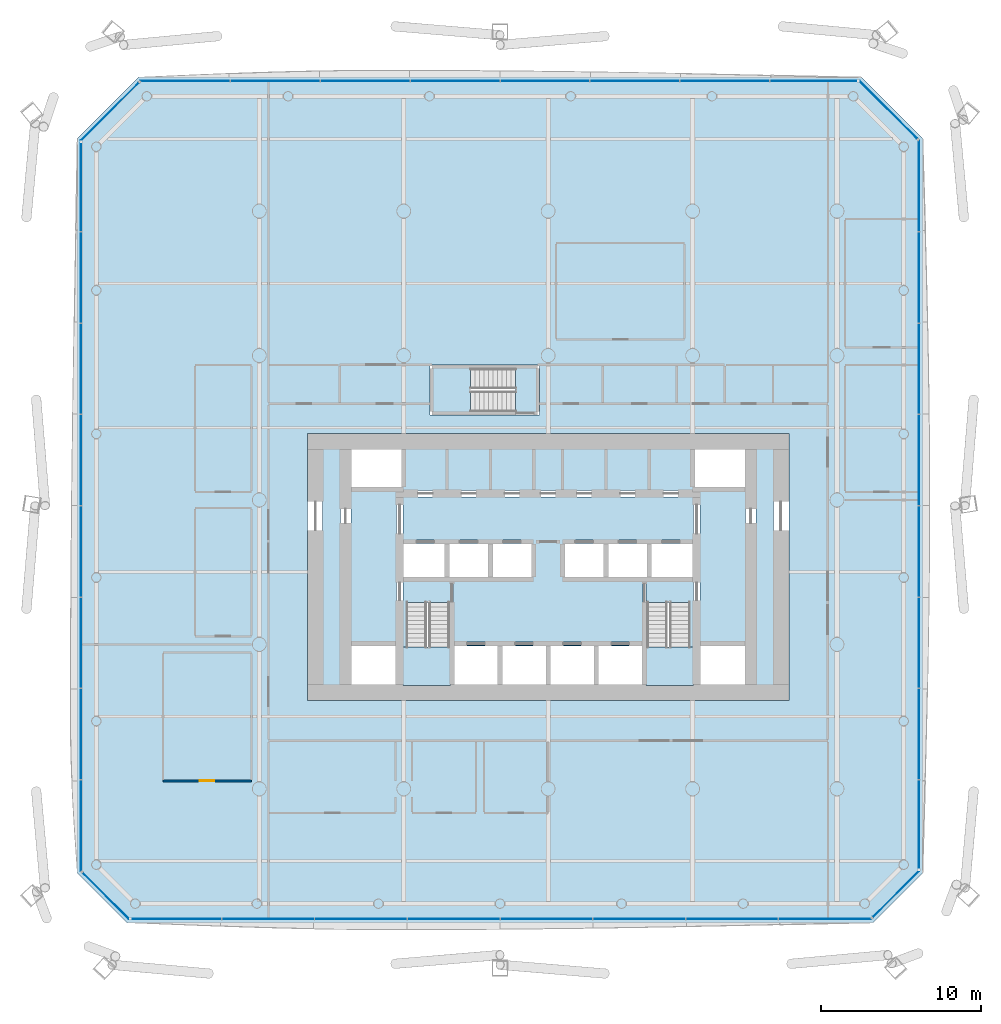
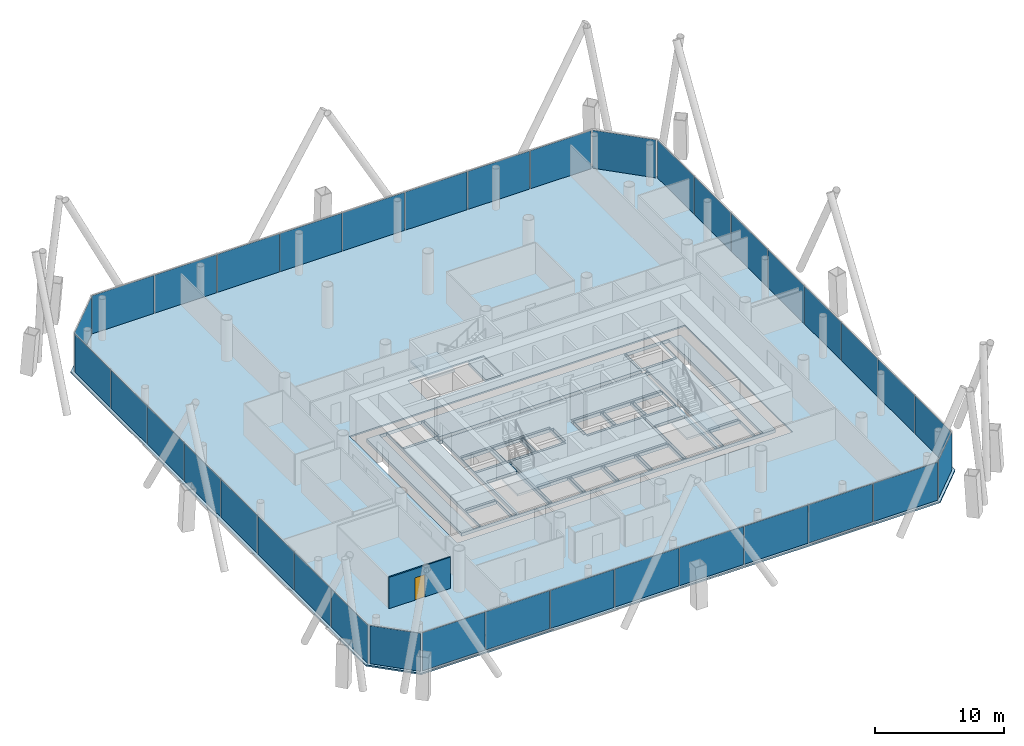
# One storey, part 12 of 21: 36 plates, 6 slabs, 1 door, 1 wall, 1 opening, 11 elements without a shape of their own.
"""IFC4 building model written with IfcOpenShell, lengths in metres."""

from ifc_helpers import new_model, si_unit, direction, frame, frame_2d, origin, origin_2d, place, context, subcontext, project, spatial, polyline, rectangle, outline, extrude, material, layer, layer_set, type_object, element, fill, aggregate, save


model = new_model("IFC4")

# Units and contexts
model_context = context("Model", 3, precision=1e-05, world=origin(), true_north=direction((0.0, 1.0)))
body_context = subcontext(model_context, "Body", "Model", "MODEL_VIEW")
ifc_project = project(units=[si_unit("LENGTHUNIT", "METRE"), si_unit("AREAUNIT", "SQUARE_METRE"), si_unit("VOLUMEUNIT", "CUBIC_METRE"), si_unit("PLANEANGLEUNIT", "RADIAN"), si_unit("MASSUNIT", "GRAM", prefix="KILO")], contexts=[model_context])

# Site, building, storey
site_placement = place(None, origin())
site = spatial("IfcSite", under=ifc_project, at=site_placement, CompositionType="ELEMENT")
building_placement = place(site_placement, origin())
building = spatial("IfcBuilding", under=site, at=building_placement, Name="Tskaro Facet Tower", CompositionType="ELEMENT")
storey_placement = place(building_placement, frame((0.0, 0.0, 45.89990234375)))
storey = spatial("IfcBuildingStorey", under=building, at=storey_placement, Name="L10", CompositionType="ELEMENT", Elevation=45.89990234375)

# Slab
ifc_material_1 = material(Name="Concrete C30/37", Category="concrete")
ifc_layer_1 = layer(ifc_material_1, 0.139892578125, Name="Concrete C30/37")
ifc_layer_set_1 = layer_set([ifc_layer_1], Name="Concrete C30/37")
slab_type_1 = type_object("IfcSlabType", Name="Composite deck floor slab", PredefinedType="FLOOR", material=ifc_layer_set_1)
slab_1_placement = place(storey_placement, frame((0.0, 0.0, -0.139892578125)))
element("IfcSlab", 1, at=slab_1_placement, inside=storey, type_object=slab_type_1, Name="Floor slab FS3 L10", PredefinedType="FLOOR", context=body_context, shape_type="SweptSolid", body=[
    extrude(outline(polyline([(-26.22607421875, -26.35693359375), (20.22607421875, -26.35693359375), (23.35693359375, -23.22607421875), (23.35693359375, 22.509033203125), (19.509033203125, 26.35693359375), (-25.509033203125, 26.35693359375), (-29.35693359375, 22.509033203125), (-29.35693359375, -23.22607421875), (-26.22607421875, -26.35693359375)]), holes=[polyline([(-15.0, -12.5), (15.0, -12.5), (15.0, 4.14990234375), (-15.0, 4.14990234375), (-15.0, -12.5)]), polyline([(-7.35009765625, 5.300048828125), (-0.550048828125, 5.300048828125), (-0.550048828125, 8.39990234375), (-7.35009765625, 8.39990234375), (-7.35009765625, 5.300048828125)])]), origin(), (0.0, 0.0, 1.0), 0.139892578125),
])

# Curtain wall, plates
ifc_material_2 = material(Name="Bronze anodised aluminium 6063-T6", Category="aluminium")
curtain_wall_type = type_object("IfcCurtainWallType", Name="Bronze office curtain wall (FW1)", PredefinedType="NOTDEFINED", material=ifc_material_2)
curtain_wall_1_placement = place(storey_placement, origin())
curtain_wall_1 = element("IfcCurtainWall", 2, at=curtain_wall_1_placement, inside=storey, type_object=curtain_wall_type, Name="FW1 south facet L10", PredefinedType="NOTDEFINED")
ifc_material_3 = material(Name="Bronze tinted glass", Category="glass")
ifc_layer_2 = layer(ifc_material_3, 0.031982421875, Name="Bronze tinted glass")
ifc_layer_set_2 = layer_set([ifc_layer_2], Name="Bronze tinted glass")
plate_type = type_object("IfcPlateType", Name="FW1 bronze-tinted unit glazing 32", PredefinedType="CURTAIN_PANEL", material=ifc_layer_set_2)
plate_1_placement = place(storey_placement, frame((-23.166748046875, -26.10693359375, 0.0), z_axis=(0.0, 0.0, 1.0), x_axis=(1.0, 0.0, 0.0)))
plate_1 = element("IfcPlate", 3, at=plate_1_placement, type_object=plate_type, Name="FW1 south glazing 1.1", PredefinedType="CURTAIN_PANEL", context=body_context, shape_type="SweptSolid", body=[
    extrude(rectangle(XDim=5.590576171875, YDim=0.031982421875, at=origin_2d()), origin(), (0.0, 0.0, 1.0), 3.60009765625),
])
plate_2_placement = place(storey_placement, frame((-17.451171875, -26.10693359375, 0.0), z_axis=(0.0, 0.0, 1.0), x_axis=(1.0, 0.0, 0.0)))
plate_2 = element("IfcPlate", 4, at=plate_2_placement, type_object=plate_type, Name="FW1 south glazing 2.1", PredefinedType="CURTAIN_PANEL", context=body_context, shape_type="SweptSolid", body=[
    extrude(rectangle(XDim=5.720458984375, YDim=0.031982421875, at=origin_2d()), origin(), (0.0, 0.0, 1.0), 3.60009765625),
])
plate_3_placement = place(storey_placement, frame((-11.670654296875, -26.10693359375, 0.0), z_axis=(0.0, 0.0, 1.0), x_axis=(1.0, 0.0, 0.0)))
plate_3 = element("IfcPlate", 5, at=plate_3_placement, type_object=plate_type, Name="FW1 south glazing 3.1", PredefinedType="CURTAIN_PANEL", context=body_context, shape_type="SweptSolid", body=[
    extrude(rectangle(XDim=5.720458984375, YDim=0.031982421875, at=origin_2d()), origin(), (0.0, 0.0, 1.0), 3.60009765625),
])
plate_4_placement = place(storey_placement, frame((-5.89013671875, -26.10693359375, 0.0), z_axis=(0.0, 0.0, 1.0), x_axis=(1.0, 0.0, 0.0)))
plate_4 = element("IfcPlate", 6, at=plate_4_placement, type_object=plate_type, Name="FW1 south glazing 4.1", PredefinedType="CURTAIN_PANEL", context=body_context, shape_type="SweptSolid", body=[
    extrude(rectangle(XDim=5.720458984375, YDim=0.031982421875, at=origin_2d()), origin(), (0.0, 0.0, 1.0), 3.60009765625),
])
plate_5_placement = place(storey_placement, frame((-0.10986328125, -26.10693359375, 0.0), z_axis=(0.0, 0.0, 1.0), x_axis=(1.0, 0.0, 0.0)))
plate_5 = element("IfcPlate", 7, at=plate_5_placement, type_object=plate_type, Name="FW1 south glazing 5.1", PredefinedType="CURTAIN_PANEL", context=body_context, shape_type="SweptSolid", body=[
    extrude(rectangle(XDim=5.720458984375, YDim=0.031982421875, at=origin_2d()), origin(), (0.0, 0.0, 1.0), 3.60009765625),
])
plate_6_placement = place(storey_placement, frame((5.670654296875, -26.10693359375, 0.0), z_axis=(0.0, 0.0, 1.0), x_axis=(1.0, 0.0, 0.0)))
plate_6 = element("IfcPlate", 8, at=plate_6_placement, type_object=plate_type, Name="FW1 south glazing 6.1", PredefinedType="CURTAIN_PANEL", context=body_context, shape_type="SweptSolid", body=[
    extrude(rectangle(XDim=5.720458984375, YDim=0.031982421875, at=origin_2d()), origin(), (0.0, 0.0, 1.0), 3.60009765625),
])
plate_7_placement = place(storey_placement, frame((11.451171875, -26.10693359375, 0.0), z_axis=(0.0, 0.0, 1.0), x_axis=(1.0, 0.0, 0.0)))
plate_7 = element("IfcPlate", 9, at=plate_7_placement, type_object=plate_type, Name="FW1 south glazing 7.1", PredefinedType="CURTAIN_PANEL", context=body_context, shape_type="SweptSolid", body=[
    extrude(rectangle(XDim=5.720458984375, YDim=0.031982421875, at=origin_2d()), origin(), (0.0, 0.0, 1.0), 3.60009765625),
])
plate_8_placement = place(storey_placement, frame((17.246826171875, -26.10693359375, 0.0), z_axis=(0.0, 0.0, 1.0), x_axis=(1.0, 0.0, 0.0)))
plate_8 = element("IfcPlate", 10, at=plate_8_placement, type_object=plate_type, Name="FW1 south glazing 8.1", PredefinedType="CURTAIN_PANEL", context=body_context, shape_type="SweptSolid", body=[
    extrude(rectangle(XDim=5.75048828125, YDim=0.031982421875, at=origin_2d()), origin(), (0.0, 0.0, 1.0), 3.60009765625),
])
aggregate(curtain_wall_1, [plate_1, plate_2, plate_3, plate_4, plate_5, plate_6, plate_7, plate_8])

# Curtain wall, plate
curtain_wall_2_placement = place(storey_placement, origin())
curtain_wall_2 = element("IfcCurtainWall", 11, at=curtain_wall_2_placement, inside=storey, type_object=curtain_wall_type, Name="FW1 south-east facet L10", PredefinedType="NOTDEFINED")
plate_9_placement = place(storey_placement, frame((21.671142578125, -24.557861328125, 0.0), z_axis=(0.0, 0.0, 1.0), x_axis=(0.707106781187, 0.707106781187, 0.0)))
plate_9 = element("IfcPlate", 12, at=plate_9_placement, type_object=plate_type, Name="FW1 south-east glazing 1.1", PredefinedType="CURTAIN_PANEL", context=body_context, shape_type="SweptSolid", body=[
    extrude(rectangle(XDim=4.0615234375, YDim=0.031982421875, at=origin_2d()), origin(), (0.0, 0.0, 1.0), 3.60009765625),
])
aggregate(curtain_wall_2, [plate_9])

# Curtain wall, plates
curtain_wall_3_placement = place(storey_placement, origin())
curtain_wall_3 = element("IfcCurtainWall", 13, at=curtain_wall_3_placement, inside=storey, type_object=curtain_wall_type, Name="FW1 east facet L10", PredefinedType="NOTDEFINED")
plate_10_placement = place(storey_placement, frame((23.10693359375, -20.211669921875, 0.0), z_axis=(0.0, 0.0, 1.0), x_axis=(0.0, 1.0, 0.0)))
plate_10 = element("IfcPlate", 14, at=plate_10_placement, type_object=plate_type, Name="FW1 east glazing 1.1", PredefinedType="CURTAIN_PANEL", context=body_context, shape_type="SweptSolid", body=[
    extrude(rectangle(XDim=5.5009765625, YDim=0.031982421875, at=origin_2d()), origin(), (0.0, 0.0, 1.0), 3.60009765625),
])
plate_11_placement = place(storey_placement, frame((23.10693359375, -14.585693359375, 0.0), z_axis=(0.0, 0.0, 1.0), x_axis=(0.0, 1.0, 0.0)))
plate_11 = element("IfcPlate", 15, at=plate_11_placement, type_object=plate_type, Name="FW1 east glazing 2.1", PredefinedType="CURTAIN_PANEL", context=body_context, shape_type="SweptSolid", body=[
    extrude(rectangle(XDim=5.630859375, YDim=0.031982421875, at=origin_2d()), origin(), (0.0, 0.0, 1.0), 3.60009765625),
])
plate_12_placement = place(storey_placement, frame((23.10693359375, -8.894775390625, 0.0), z_axis=(0.0, 0.0, 1.0), x_axis=(0.0, 1.0, 0.0)))
plate_12 = element("IfcPlate", 16, at=plate_12_placement, type_object=plate_type, Name="FW1 east glazing 3.1", PredefinedType="CURTAIN_PANEL", context=body_context, shape_type="SweptSolid", body=[
    extrude(rectangle(XDim=5.630859375, YDim=0.031982421875, at=origin_2d()), origin(), (0.0, 0.0, 1.0), 3.60009765625),
])
plate_13_placement = place(storey_placement, frame((23.10693359375, -3.203857421875, 0.0), z_axis=(0.0, 0.0, 1.0), x_axis=(0.0, 1.0, 0.0)))
plate_13 = element("IfcPlate", 17, at=plate_13_placement, type_object=plate_type, Name="FW1 east glazing 4.1", PredefinedType="CURTAIN_PANEL", context=body_context, shape_type="SweptSolid", body=[
    extrude(rectangle(XDim=5.630859375, YDim=0.031982421875, at=origin_2d()), origin(), (0.0, 0.0, 1.0), 3.60009765625),
])
plate_14_placement = place(storey_placement, frame((23.10693359375, 2.48681640625, 0.0), z_axis=(0.0, 0.0, 1.0), x_axis=(0.0, 1.0, 0.0)))
plate_14 = element("IfcPlate", 18, at=plate_14_placement, type_object=plate_type, Name="FW1 east glazing 5.1", PredefinedType="CURTAIN_PANEL", context=body_context, shape_type="SweptSolid", body=[
    extrude(rectangle(XDim=5.630859375, YDim=0.031982421875, at=origin_2d()), origin(), (0.0, 0.0, 1.0), 3.60009765625),
])
plate_15_placement = place(storey_placement, frame((23.10693359375, 8.177734375, 0.0), z_axis=(0.0, 0.0, 1.0), x_axis=(0.0, 1.0, 0.0)))
plate_15 = element("IfcPlate", 19, at=plate_15_placement, type_object=plate_type, Name="FW1 east glazing 6.1", PredefinedType="CURTAIN_PANEL", context=body_context, shape_type="SweptSolid", body=[
    extrude(rectangle(XDim=5.630859375, YDim=0.031982421875, at=origin_2d()), origin(), (0.0, 0.0, 1.0), 3.60009765625),
])
plate_16_placement = place(storey_placement, frame((23.10693359375, 13.86865234375, 0.0), z_axis=(0.0, 0.0, 1.0), x_axis=(0.0, 1.0, 0.0)))
plate_16 = element("IfcPlate", 20, at=plate_16_placement, type_object=plate_type, Name="FW1 east glazing 7.1", PredefinedType="CURTAIN_PANEL", context=body_context, shape_type="SweptSolid", body=[
    extrude(rectangle(XDim=5.630859375, YDim=0.031982421875, at=origin_2d()), origin(), (0.0, 0.0, 1.0), 3.60009765625),
])
plate_17_placement = place(storey_placement, frame((23.10693359375, 19.574462890625, 0.0), z_axis=(0.0, 0.0, 1.0), x_axis=(0.0, 1.0, 0.0)))
plate_17 = element("IfcPlate", 21, at=plate_17_placement, type_object=plate_type, Name="FW1 east glazing 8.1", PredefinedType="CURTAIN_PANEL", context=body_context, shape_type="SweptSolid", body=[
    extrude(rectangle(XDim=5.660888671875, YDim=0.031982421875, at=origin_2d()), origin(), (0.0, 0.0, 1.0), 3.60009765625),
])
aggregate(curtain_wall_3, [plate_10, plate_11, plate_12, plate_13, plate_14, plate_15, plate_16, plate_17])

# Curtain wall, plate
curtain_wall_4_placement = place(storey_placement, origin())
curtain_wall_4 = element("IfcCurtainWall", 22, at=curtain_wall_4_placement, inside=storey, type_object=curtain_wall_type, Name="FW1 north-east facet L10", PredefinedType="NOTDEFINED")
plate_18_placement = place(storey_placement, frame((21.199462890625, 24.3125, 0.0), z_axis=(0.0, 0.0, 1.0), x_axis=(-0.707106781187, 0.707106781187, 0.0)))
plate_18 = element("IfcPlate", 23, at=plate_18_placement, type_object=plate_type, Name="FW1 north-east glazing 1.1", PredefinedType="CURTAIN_PANEL", context=body_context, shape_type="SweptSolid", body=[
    extrude(rectangle(XDim=5.075439453125, YDim=0.031982421875, at=origin_2d()), origin(), (0.0, 0.0, 1.0), 3.60009765625),
])
aggregate(curtain_wall_4, [plate_18])

# Curtain wall, plates
curtain_wall_5_placement = place(storey_placement, origin())
curtain_wall_5 = element("IfcCurtainWall", 24, at=curtain_wall_5_placement, inside=storey, type_object=curtain_wall_type, Name="FW1 north facet L10", PredefinedType="NOTDEFINED")
plate_19_placement = place(storey_placement, frame((16.539306640625, 26.10693359375, 0.0), z_axis=(0.0, 0.0, 1.0), x_axis=(-1.0, 0.0, 0.0)))
plate_19 = element("IfcPlate", 25, at=plate_19_placement, type_object=plate_type, Name="FW1 north glazing 1.1", PredefinedType="CURTAIN_PANEL", context=body_context, shape_type="SweptSolid", body=[
    extrude(rectangle(XDim=5.4111328125, YDim=0.031982421875, at=origin_2d()), origin(), (0.0, 0.0, 1.0), 3.60009765625),
])
plate_20_placement = place(storey_placement, frame((11.003173828125, 26.10693359375, 0.0), z_axis=(0.0, 0.0, 1.0), x_axis=(-1.0, 0.0, 0.0)))
plate_20 = element("IfcPlate", 26, at=plate_20_placement, type_object=plate_type, Name="FW1 north glazing 2.1", PredefinedType="CURTAIN_PANEL", context=body_context, shape_type="SweptSolid", body=[
    extrude(rectangle(XDim=5.541259765625, YDim=0.031982421875, at=origin_2d()), origin(), (0.0, 0.0, 1.0), 3.60009765625),
])
plate_21_placement = place(storey_placement, frame((5.40185546875, 26.10693359375, 0.0), z_axis=(0.0, 0.0, 1.0), x_axis=(-1.0, 0.0, 0.0)))
plate_21 = element("IfcPlate", 27, at=plate_21_placement, type_object=plate_type, Name="FW1 north glazing 3.1", PredefinedType="CURTAIN_PANEL", context=body_context, shape_type="SweptSolid", body=[
    extrude(rectangle(XDim=5.541259765625, YDim=0.031982421875, at=origin_2d()), origin(), (0.0, 0.0, 1.0), 3.60009765625),
])
plate_22_placement = place(storey_placement, frame((-0.199462890625, 26.10693359375, 0.0), z_axis=(0.0, 0.0, 1.0), x_axis=(-1.0, 0.0, 0.0)))
plate_22 = element("IfcPlate", 28, at=plate_22_placement, type_object=plate_type, Name="FW1 north glazing 4.1", PredefinedType="CURTAIN_PANEL", context=body_context, shape_type="SweptSolid", body=[
    extrude(rectangle(XDim=5.541259765625, YDim=0.031982421875, at=origin_2d()), origin(), (0.0, 0.0, 1.0), 3.60009765625),
])
plate_23_placement = place(storey_placement, frame((-5.800537109375, 26.10693359375, 0.0), z_axis=(0.0, 0.0, 1.0), x_axis=(-1.0, 0.0, 0.0)))
plate_23 = element("IfcPlate", 29, at=plate_23_placement, type_object=plate_type, Name="FW1 north glazing 5.1", PredefinedType="CURTAIN_PANEL", context=body_context, shape_type="SweptSolid", body=[
    extrude(rectangle(XDim=5.541259765625, YDim=0.031982421875, at=origin_2d()), origin(), (0.0, 0.0, 1.0), 3.60009765625),
])
plate_24_placement = place(storey_placement, frame((-11.40185546875, 26.10693359375, 0.0), z_axis=(0.0, 0.0, 1.0), x_axis=(-1.0, 0.0, 0.0)))
plate_24 = element("IfcPlate", 30, at=plate_24_placement, type_object=plate_type, Name="FW1 north glazing 6.1", PredefinedType="CURTAIN_PANEL", context=body_context, shape_type="SweptSolid", body=[
    extrude(rectangle(XDim=5.541259765625, YDim=0.031982421875, at=origin_2d()), origin(), (0.0, 0.0, 1.0), 3.60009765625),
])
plate_25_placement = place(storey_placement, frame((-17.003173828125, 26.10693359375, 0.0), z_axis=(0.0, 0.0, 1.0), x_axis=(-1.0, 0.0, 0.0)))
plate_25 = element("IfcPlate", 31, at=plate_25_placement, type_object=plate_type, Name="FW1 north glazing 7.1", PredefinedType="CURTAIN_PANEL", context=body_context, shape_type="SweptSolid", body=[
    extrude(rectangle(XDim=5.541259765625, YDim=0.031982421875, at=origin_2d()), origin(), (0.0, 0.0, 1.0), 3.60009765625),
])
plate_26_placement = place(storey_placement, frame((-22.619384765625, 26.10693359375, 0.0), z_axis=(0.0, 0.0, 1.0), x_axis=(-1.0, 0.0, 0.0)))
plate_26 = element("IfcPlate", 32, at=plate_26_placement, type_object=plate_type, Name="FW1 north glazing 8.1", PredefinedType="CURTAIN_PANEL", context=body_context, shape_type="SweptSolid", body=[
    extrude(rectangle(XDim=5.5712890625, YDim=0.031982421875, at=origin_2d()), origin(), (0.0, 0.0, 1.0), 3.60009765625),
])
aggregate(curtain_wall_5, [plate_19, plate_20, plate_21, plate_22, plate_23, plate_24, plate_25, plate_26])

# Curtain wall, plate
curtain_wall_6_placement = place(storey_placement, origin())
curtain_wall_6 = element("IfcCurtainWall", 33, at=curtain_wall_6_placement, inside=storey, type_object=curtain_wall_type, Name="FW1 north-west facet L10", PredefinedType="NOTDEFINED")
plate_27_placement = place(storey_placement, frame((-27.3125, 24.199462890625, 0.0), z_axis=(0.0, 0.0, 1.0), x_axis=(-0.707106781187, -0.707106781187, 0.0)))
plate_27 = element("IfcPlate", 34, at=plate_27_placement, type_object=plate_type, Name="FW1 north-west glazing 1.1", PredefinedType="CURTAIN_PANEL", context=body_context, shape_type="SweptSolid", body=[
    extrude(rectangle(XDim=5.075439453125, YDim=0.031982421875, at=origin_2d()), origin(), (0.0, 0.0, 1.0), 3.60009765625),
])
aggregate(curtain_wall_6, [plate_27])

# Curtain wall, plates
curtain_wall_7_placement = place(storey_placement, origin())
curtain_wall_7 = element("IfcCurtainWall", 35, at=curtain_wall_7_placement, inside=storey, type_object=curtain_wall_type, Name="FW1 west facet L10", PredefinedType="NOTDEFINED")
plate_28_placement = place(storey_placement, frame((-29.10693359375, 19.49462890625, 0.0), z_axis=(0.0, 0.0, 1.0), x_axis=(0.0, -1.0, 0.0)))
plate_28 = element("IfcPlate", 36, at=plate_28_placement, type_object=plate_type, Name="FW1 west glazing 1.1", PredefinedType="CURTAIN_PANEL", context=body_context, shape_type="SweptSolid", body=[
    extrude(rectangle(XDim=5.5009765625, YDim=0.031982421875, at=origin_2d()), origin(), (0.0, 0.0, 1.0), 3.60009765625),
])
plate_29_placement = place(storey_placement, frame((-29.10693359375, 13.86865234375, 0.0), z_axis=(0.0, 0.0, 1.0), x_axis=(0.0, -1.0, 0.0)))
plate_29 = element("IfcPlate", 37, at=plate_29_placement, type_object=plate_type, Name="FW1 west glazing 2.1", PredefinedType="CURTAIN_PANEL", context=body_context, shape_type="SweptSolid", body=[
    extrude(rectangle(XDim=5.630859375, YDim=0.031982421875, at=origin_2d()), origin(), (0.0, 0.0, 1.0), 3.60009765625),
])
plate_30_placement = place(storey_placement, frame((-29.10693359375, 8.177734375, 0.0), z_axis=(0.0, 0.0, 1.0), x_axis=(0.0, -1.0, 0.0)))
plate_30 = element("IfcPlate", 38, at=plate_30_placement, type_object=plate_type, Name="FW1 west glazing 3.1", PredefinedType="CURTAIN_PANEL", context=body_context, shape_type="SweptSolid", body=[
    extrude(rectangle(XDim=5.630859375, YDim=0.031982421875, at=origin_2d()), origin(), (0.0, 0.0, 1.0), 3.60009765625),
])
plate_31_placement = place(storey_placement, frame((-29.10693359375, 2.48681640625, 0.0), z_axis=(0.0, 0.0, 1.0), x_axis=(0.0, -1.0, 0.0)))
plate_31 = element("IfcPlate", 39, at=plate_31_placement, type_object=plate_type, Name="FW1 west glazing 4.1", PredefinedType="CURTAIN_PANEL", context=body_context, shape_type="SweptSolid", body=[
    extrude(rectangle(XDim=5.630859375, YDim=0.031982421875, at=origin_2d()), origin(), (0.0, 0.0, 1.0), 3.60009765625),
])
plate_32_placement = place(storey_placement, frame((-29.10693359375, -3.203857421875, 0.0), z_axis=(0.0, 0.0, 1.0), x_axis=(0.0, -1.0, 0.0)))
plate_32 = element("IfcPlate", 40, at=plate_32_placement, type_object=plate_type, Name="FW1 west glazing 5.1", PredefinedType="CURTAIN_PANEL", context=body_context, shape_type="SweptSolid", body=[
    extrude(rectangle(XDim=5.630859375, YDim=0.031982421875, at=origin_2d()), origin(), (0.0, 0.0, 1.0), 3.60009765625),
])
plate_33_placement = place(storey_placement, frame((-29.10693359375, -8.894775390625, 0.0), z_axis=(0.0, 0.0, 1.0), x_axis=(0.0, -1.0, 0.0)))
plate_33 = element("IfcPlate", 41, at=plate_33_placement, type_object=plate_type, Name="FW1 west glazing 6.1", PredefinedType="CURTAIN_PANEL", context=body_context, shape_type="SweptSolid", body=[
    extrude(rectangle(XDim=5.630859375, YDim=0.031982421875, at=origin_2d()), origin(), (0.0, 0.0, 1.0), 3.60009765625),
])
plate_34_placement = place(storey_placement, frame((-29.10693359375, -14.585693359375, 0.0), z_axis=(0.0, 0.0, 1.0), x_axis=(0.0, -1.0, 0.0)))
plate_34 = element("IfcPlate", 42, at=plate_34_placement, type_object=plate_type, Name="FW1 west glazing 7.1", PredefinedType="CURTAIN_PANEL", context=body_context, shape_type="SweptSolid", body=[
    extrude(rectangle(XDim=5.630859375, YDim=0.031982421875, at=origin_2d()), origin(), (0.0, 0.0, 1.0), 3.60009765625),
])
plate_35_placement = place(storey_placement, frame((-29.10693359375, -20.29150390625, 0.0), z_axis=(0.0, 0.0, 1.0), x_axis=(0.0, -1.0, 0.0)))
plate_35 = element("IfcPlate", 43, at=plate_35_placement, type_object=plate_type, Name="FW1 west glazing 8.1", PredefinedType="CURTAIN_PANEL", context=body_context, shape_type="SweptSolid", body=[
    extrude(rectangle(XDim=5.660888671875, YDim=0.031982421875, at=origin_2d()), origin(), (0.0, 0.0, 1.0), 3.60009765625),
])
aggregate(curtain_wall_7, [plate_28, plate_29, plate_30, plate_31, plate_32, plate_33, plate_34, plate_35])

# Curtain wall, plate
curtain_wall_8_placement = place(storey_placement, origin())
curtain_wall_8 = element("IfcCurtainWall", 44, at=curtain_wall_8_placement, inside=storey, type_object=curtain_wall_type, Name="FW1 south-west facet L10", PredefinedType="NOTDEFINED")
plate_36_placement = place(storey_placement, frame((-27.557861328125, -24.671142578125, 0.0), z_axis=(0.0, 0.0, 1.0), x_axis=(0.707106781187, -0.707106781187, 0.0)))
plate_36 = element("IfcPlate", 45, at=plate_36_placement, type_object=plate_type, Name="FW1 south-west glazing 1.1", PredefinedType="CURTAIN_PANEL", context=body_context, shape_type="SweptSolid", body=[
    extrude(rectangle(XDim=4.0615234375, YDim=0.031982421875, at=origin_2d()), origin(), (0.0, 0.0, 1.0), 3.60009765625),
])
aggregate(curtain_wall_8, [plate_36])

# Stair, slab
ifc_material_4 = material(Name="Concrete C40/50", Category="concrete")
stair_type = type_object("IfcStairType", Name="ST-TWR", PredefinedType="HALF_TURN_STAIR", material=ifc_material_4)
stair_1_placement = place(storey_placement, origin())
stair_1 = element("IfcStair", 46, at=stair_1_placement, inside=storey, type_object=stair_type, Name="L10 Exit stair 1", PredefinedType="HALF_TURN_STAIR")
ifc_layer_3 = layer(ifc_material_4, 0.199951171875, Name="Concrete C40/50")
ifc_layer_set_3 = layer_set([ifc_layer_3], Name="Concrete C40/50")
slab_type_2 = type_object("IfcSlabType", Name="SL-LANDING", PredefinedType="LANDING", material=ifc_layer_set_3)
slab_2_placement = place(storey_placement, frame((0.0, 0.0, 1.75)))
slab_2 = element("IfcSlab", 47, at=slab_2_placement, type_object=slab_type_2, Name="ST-1 landing 1", PredefinedType="LANDING", context=body_context, shape_type="SweptSolid", body=[
    extrude(outline(polyline([(-9.050048828125, -11.550048828125), (-6.10009765625, -11.550048828125), (-6.10009765625, -9.175048828125), (-9.050048828125, -9.175048828125), (-9.050048828125, -11.550048828125)])), origin(), (0.0, 0.0, 1.0), 0.2001953125),
])
aggregate(stair_1, [slab_2])

stair_2_placement = place(storey_placement, origin())
stair_2 = element("IfcStair", 48, at=stair_2_placement, inside=storey, type_object=stair_type, Name="L10 Exit stair 2", PredefinedType="HALF_TURN_STAIR")
slab_3_placement = place(storey_placement, frame((0.0, 0.0, 1.75)))
slab_3 = element("IfcSlab", 49, at=slab_3_placement, type_object=slab_type_2, Name="ST-2 landing 1", PredefinedType="LANDING", context=body_context, shape_type="SweptSolid", body=[
    extrude(outline(polyline([(6.10009765625, -11.550048828125), (9.050048828125, -11.550048828125), (9.050048828125, -9.175048828125), (6.10009765625, -9.175048828125), (6.10009765625, -11.550048828125)])), origin(), (0.0, 0.0, 1.0), 0.2001953125),
])
aggregate(stair_2, [slab_3])

stair_3_placement = place(storey_placement, origin())
stair_3 = element("IfcStair", 50, at=stair_3_placement, inside=storey, type_object=stair_type, Name="L10 Exit stair 3", PredefinedType="HALF_TURN_STAIR")
slab_4_placement = place(storey_placement, frame((0.0, 0.0, 1.75)))
slab_4 = element("IfcSlab", 51, at=slab_4_placement, type_object=slab_type_2, Name="ST-3 landing 1", PredefinedType="LANDING", context=body_context, shape_type="SweptSolid", body=[
    extrude(outline(polyline([(-7.199951171875, 5.449951171875), (-4.824951171875, 5.449951171875), (-4.824951171875, 8.25), (-7.199951171875, 8.25), (-7.199951171875, 5.449951171875)])), origin(), (0.0, 0.0, 1.0), 0.2001953125),
])
aggregate(stair_3, [slab_4])

# Slabs
ifc_material_5 = material(Name="Concrete C60/75", Category="concrete")
ifc_layer_4 = layer(ifc_material_5, 0.300048828125, Name="Concrete C60/75")
ifc_layer_set_4 = layer_set([ifc_layer_4], Name="Concrete C60/75")
slab_type_3 = type_object("IfcSlabType", Name="SLAB-CORE", PredefinedType="FLOOR", material=ifc_layer_set_4)
slab_5_placement = place(storey_placement, frame((0.0, 0.0, -0.2998046875)))
element("IfcSlab", 52, at=slab_5_placement, inside=storey, type_object=slab_type_3, Name="Core floor slab 1", PredefinedType="FLOOR", context=body_context, shape_type="SweptSolid", body=[
    extrude(outline(polyline([(-14.050048828125, 3.199951171875), (14.050048828125, 3.199951171875), (14.050048828125, 3.10009765625), (14.050048828125, -11.449951171875), (14.050048828125, -11.550048828125), (-14.050048828125, -11.550048828125), (-14.050048828125, -11.449951171875), (-14.050048828125, 3.10009765625), (-14.050048828125, 3.199951171875)]), holes=[polyline([(-9.5, -9.10009765625), (-12.25, -9.10009765625), (-12.25, -11.5), (-9.5, -11.5), (-9.5, -9.10009765625)]), polyline([(-3.14990234375, -9.10009765625), (-5.85009765625, -9.10009765625), (-5.85009765625, -11.5), (-3.14990234375, -11.5), (-3.14990234375, -9.10009765625)]), polyline([(-12.199951171875, -8.85009765625), (-12.199951171875, -9.050048828125), (-9.550048828125, -9.050048828125), (-9.550048828125, -8.85009765625), (-12.199951171875, -8.85009765625)]), polyline([(-6.10009765625, -11.449951171875), (-5.89990234375, -11.449951171875), (-5.89990234375, -5.14990234375), (-6.10009765625, -5.14990234375), (-6.10009765625, -11.449951171875)]), polyline([(-9.449951171875, 0.10009765625), (-9.449951171875, -11.449951171875), (-9.050048828125, -11.449951171875), (-9.050048828125, 0.10009765625), (-9.449951171875, 0.10009765625)]), polyline([(-8.949951171875, -4.85009765625), (-8.949951171875, -5.050048828125), (-0.949951171875, -5.050048828125), (-0.949951171875, -4.85009765625), (-8.949951171875, -4.85009765625)]), polyline([(-12.949951171875, -11.449951171875), (-12.300048828125, -11.449951171875), (-12.300048828125, 3.10009765625), (-12.949951171875, 3.10009765625), (-12.949951171875, -11.449951171875)]), polyline([(-6.449951171875, -4.800048828125), (-6.449951171875, -2.75), (-9.0, -2.75), (-9.0, -4.800048828125), (-6.449951171875, -4.800048828125)]), polyline([(-3.75, -4.800048828125), (-3.75, -2.75), (-6.14990234375, -2.75), (-6.14990234375, -4.800048828125), (-3.75, -4.800048828125)]), polyline([(-6.39990234375, -2.800048828125), (-6.39990234375, -4.75), (-6.199951171875, -4.75), (-6.199951171875, -2.800048828125), (-6.39990234375, -2.800048828125)]), polyline([(-8.949951171875, -2.5), (-8.949951171875, -2.699951171875), (-0.949951171875, -2.699951171875), (-0.949951171875, -2.5), (-8.949951171875, -2.5)]), polyline([(9.449951171875, 0.550048828125), (12.199951171875, 0.550048828125), (12.199951171875, 0.75), (9.050048828125, 0.75), (9.050048828125, 0.60009765625), (-9.050048828125, 0.60009765625), (-9.050048828125, 0.75), (-12.199951171875, 0.75), (-12.199951171875, 0.550048828125), (-9.449951171875, 0.550048828125), (-9.449951171875, 0.199951171875), (9.449951171875, 0.199951171875), (9.449951171875, 0.550048828125)]), polyline([(-9.10009765625, 3.10009765625), (-9.10009765625, 0.85009765625), (-8.89990234375, 0.85009765625), (-8.89990234375, 3.10009765625), (-9.10009765625, 3.10009765625)]), polyline([(-9.14990234375, 0.800048828125), (-9.14990234375, 3.14990234375), (-12.25, 3.14990234375), (-12.25, 0.800048828125), (-9.14990234375, 0.800048828125)]), polyline([(2.89990234375, -11.449951171875), (3.10009765625, -11.449951171875), (3.10009765625, -9.14990234375), (2.89990234375, -9.14990234375), (2.89990234375, -11.449951171875)]), polyline([(-3.10009765625, -9.14990234375), (-3.10009765625, -11.449951171875), (-2.89990234375, -11.449951171875), (-2.89990234375, -9.14990234375), (-3.10009765625, -9.14990234375)]), polyline([(2.85009765625, -9.10009765625), (0.14990234375, -9.10009765625), (0.14990234375, -11.5), (2.85009765625, -11.5), (2.85009765625, -9.10009765625)]), polyline([(-0.14990234375, -9.10009765625), (-2.85009765625, -9.10009765625), (-2.85009765625, -11.5), (-0.14990234375, -11.5), (-0.14990234375, -9.10009765625)]), polyline([(-0.10009765625, -9.14990234375), (-0.10009765625, -11.449951171875), (0.10009765625, -11.449951171875), (0.10009765625, -9.14990234375), (-0.10009765625, -9.14990234375)]), polyline([(-5.800048828125, -8.85009765625), (-5.800048828125, -9.050048828125), (5.800048828125, -9.050048828125), (5.800048828125, -8.85009765625), (-5.800048828125, -8.85009765625)]), polyline([(-1.0, -2.800048828125), (-1.0, -4.75), (-0.800048828125, -4.75), (-0.800048828125, -2.800048828125), (-1.0, -2.800048828125)]), polyline([(0.800048828125, -4.75), (1.0, -4.75), (1.0, -2.800048828125), (0.800048828125, -2.800048828125), (0.800048828125, -4.75)]), polyline([(-3.449951171875, -4.800048828125), (-1.050048828125, -4.800048828125), (-1.050048828125, -2.75), (-3.449951171875, -2.75), (-3.449951171875, -4.800048828125)]), polyline([(1.050048828125, -2.75), (1.050048828125, -4.800048828125), (3.449951171875, -4.800048828125), (3.449951171875, -2.75), (1.050048828125, -2.75)]), polyline([(-3.699951171875, -4.75), (-3.5, -4.75), (-3.5, -2.800048828125), (-3.699951171875, -2.800048828125), (-3.699951171875, -4.75)]), polyline([(3.14990234375, -9.10009765625), (3.14990234375, -11.5), (5.85009765625, -11.5), (5.85009765625, -9.10009765625), (3.14990234375, -9.10009765625)]), polyline([(12.25, -11.5), (12.25, -9.10009765625), (9.5, -9.10009765625), (9.5, -11.5), (12.25, -11.5)]), polyline([(9.550048828125, -8.85009765625), (9.550048828125, -9.050048828125), (12.199951171875, -9.050048828125), (12.199951171875, -8.85009765625), (9.550048828125, -8.85009765625)]), polyline([(5.89990234375, -11.449951171875), (6.10009765625, -11.449951171875), (6.10009765625, -5.14990234375), (5.89990234375, -5.14990234375), (5.89990234375, -11.449951171875)]), polyline([(9.050048828125, 0.10009765625), (9.050048828125, -11.449951171875), (9.449951171875, -11.449951171875), (9.449951171875, 0.10009765625), (9.050048828125, 0.10009765625)]), polyline([(0.949951171875, -4.85009765625), (0.949951171875, -5.050048828125), (8.949951171875, -5.050048828125), (8.949951171875, -4.85009765625), (0.949951171875, -4.85009765625)]), polyline([(12.300048828125, -11.449951171875), (12.949951171875, -11.449951171875), (12.949951171875, 3.10009765625), (12.300048828125, 3.10009765625), (12.300048828125, -11.449951171875)]), polyline([(3.5, -2.800048828125), (3.5, -4.75), (3.699951171875, -4.75), (3.699951171875, -2.800048828125), (3.5, -2.800048828125)]), polyline([(6.14990234375, -2.75), (3.75, -2.75), (3.75, -4.800048828125), (6.14990234375, -4.800048828125), (6.14990234375, -2.75)]), polyline([(6.199951171875, -2.800048828125), (6.199951171875, -4.75), (6.39990234375, -4.75), (6.39990234375, -2.800048828125), (6.199951171875, -2.800048828125)]), polyline([(6.449951171875, -2.75), (6.449951171875, -4.800048828125), (9.0, -4.800048828125), (9.0, -2.75), (6.449951171875, -2.75)]), polyline([(0.949951171875, -2.5), (0.949951171875, -2.699951171875), (8.949951171875, -2.699951171875), (8.949951171875, -2.5), (0.949951171875, -2.5)]), polyline([(8.89990234375, 3.10009765625), (8.89990234375, 0.85009765625), (9.10009765625, 0.85009765625), (9.10009765625, 3.10009765625), (8.89990234375, 3.10009765625)]), polyline([(9.14990234375, 0.800048828125), (12.25, 0.800048828125), (12.25, 3.14990234375), (9.14990234375, 3.14990234375), (9.14990234375, 0.800048828125)]), polyline([(-8.85009765625, -11.5), (-6.14990234375, -11.5), (-6.14990234375, -6.39501953125), (-8.85009765625, -6.39501953125), (-8.85009765625, -11.5)]), polyline([(6.14990234375, -6.39501953125), (6.14990234375, -11.5), (8.85009765625, -11.5), (8.85009765625, -6.39501953125), (6.14990234375, -6.39501953125)])]), origin(), (0.0, 0.0, 1.0), 0.2998046875),
])
slab_6_placement = place(storey_placement, frame((0.0, 0.0, -0.2998046875)))
element("IfcSlab", 53, at=slab_6_placement, inside=storey, type_object=slab_type_3, Name="Stair 3 floor landing 1", PredefinedType="FLOOR", context=body_context, shape_type="SweptSolid", body=[
    extrude(outline(polyline([(-2.02490234375, 5.449951171875), (-0.699951171875, 5.449951171875), (-0.699951171875, 8.25), (-2.02490234375, 8.25), (-2.02490234375, 5.449951171875)])), origin(), (0.0, 0.0, 1.0), 0.2998046875),
])

# Wall, opening, door
ifc_material_6 = material(Name="Gypsum board on steel studs", Category="steel")
ifc_layer_5 = layer(ifc_material_6, 0.125, Name="Gypsum board on steel studs")
ifc_layer_set_5 = layer_set([ifc_layer_5], Name="Gypsum board on steel studs")
wall_type = type_object("IfcWallType", Name="PART", PredefinedType="PARTITIONING", material=ifc_layer_set_5)
wall_placement = place(storey_placement, frame((-24.0, -17.5, 0.0), z_axis=(0.0, 0.0, 1.0), x_axis=(1.0, 0.0, 0.0)))
wall = element("IfcWall", 54, at=wall_placement, inside=storey, type_object=wall_type, Name="Partition W004", PredefinedType="PARTITIONING", context=body_context, shape_type="SweptSolid", body=[
    extrude(rectangle(XDim=5.5, YDim=0.125, at=frame_2d((2.75, 0.0))), origin(), (0.0, 0.0, 1.0), 2.960205078125),
])
opening_placement = place(wall_placement, frame((2.300048828125, 0.0, 0.0)))
opening = element("IfcOpeningElement", 55, at=opening_placement, cuts=wall, Name="Opening T3-D04", PredefinedType="OPENING", context=body_context, shape_type="SweptSolid", body=[
    extrude(rectangle(XDim=0.89990234375, YDim=2.10009765625, at=frame_2d((0.449951171875, 1.050048828125))), frame((0.0, 0.072509765625, 0.0), z_axis=(0.0, -1.0, 0.0), x_axis=(1.0, 0.0, 0.0)), (0.0, 0.0, 1.0), 0.14501953125),
])
ifc_material_7 = material(Name="Timber", Category="wood")
door_type = type_object("IfcDoorType", Name="D-ROOM", OperationType="NOTDEFINED", PredefinedType="DOOR", material=ifc_material_7)
door_placement = place(opening_placement, origin())
door = element("IfcDoor", 56, at=door_placement, inside=storey, type_object=door_type, Name="Door T3-D04", OperationType="SINGLE_SWING_LEFT", OverallHeight=2.10009765625, OverallWidth=0.89990234375, PredefinedType="DOOR", context=body_context, shape_type="SweptSolid", body=[
    extrude(rectangle(XDim=0.89990234375, YDim=2.10009765625, at=frame_2d((0.449951171875, 1.050048828125))), frame((0.0, 0.02490234375, 0.0), z_axis=(0.0, -1.0, 0.0), x_axis=(1.0, 0.0, 0.0)), (0.0, 0.0, 1.0), 0.050048828125),
])
fill(opening, door)

save(model, "model.ifc")
